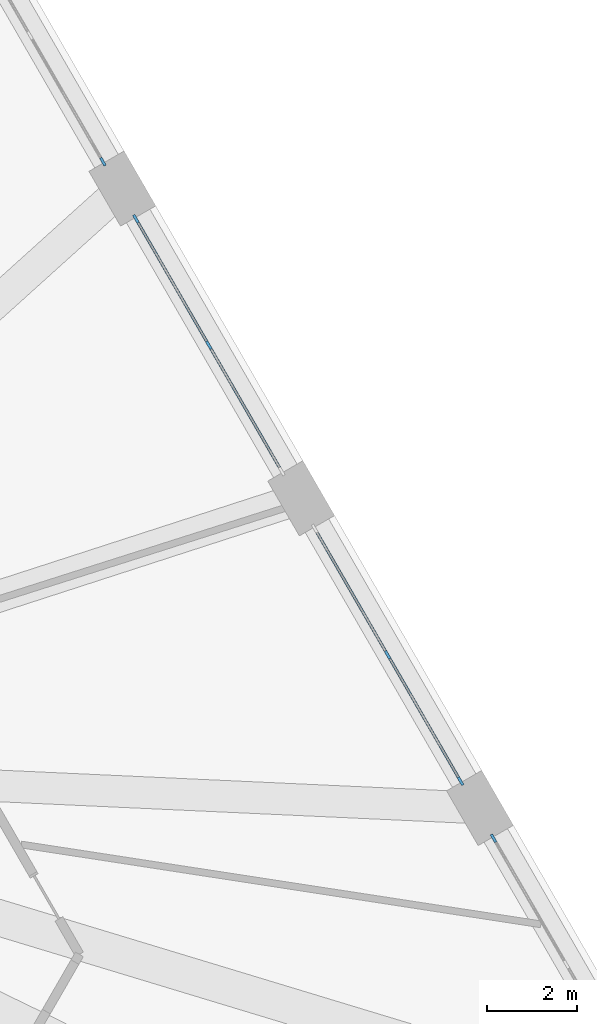
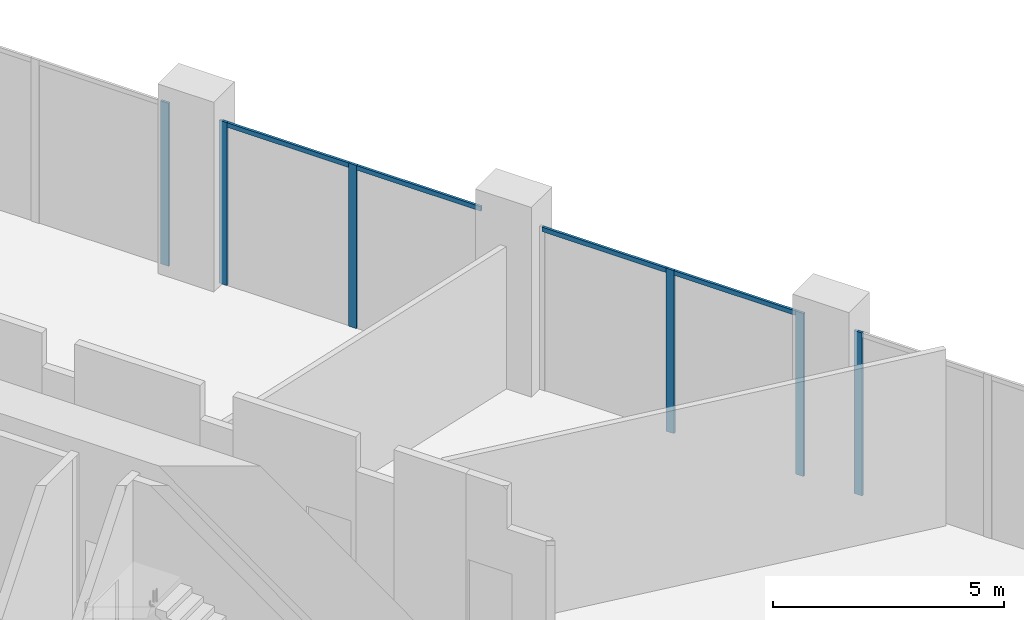
# One storey, part 10 of 20: 10 members, 4 elements without a shape of their own.
"""IFC4 building model written with IfcOpenShell, lengths in metres."""

from ifc_helpers import new_model, si_unit, direction, frame, origin, origin_2d, place, context, subcontext, project, spatial, rectangle, extrude, material, layer, layer_set, material_profile, profile_set, type_object, element, aggregate, save


model = new_model("IFC4")

# Units and contexts
model_context = context("Model", 3, precision=1e-05, world=origin(), true_north=direction((0.0, 1.0)))
body_context = subcontext(model_context, "Body", "Model", "MODEL_VIEW")
ifc_project = project(units=[si_unit("LENGTHUNIT", "METRE"), si_unit("AREAUNIT", "SQUARE_METRE"), si_unit("VOLUMEUNIT", "CUBIC_METRE"), si_unit("PLANEANGLEUNIT", "RADIAN"), si_unit("MASSUNIT", "GRAM", prefix="KILO")], contexts=[model_context])

# Site, building, storey
site_placement = place(None, origin())
site = spatial("IfcSite", under=ifc_project, at=site_placement, CompositionType="ELEMENT")
building_placement = place(site_placement, origin())
building = spatial("IfcBuilding", under=site, at=building_placement, Name="Tramontana Tower", CompositionType="ELEMENT")
storey_placement = place(building_placement, frame((0.0, 0.0, 20.0)))
storey = spatial("IfcBuildingStorey", under=building, at=storey_placement, Name="L03", CompositionType="ELEMENT", Elevation=20.0)

# Curtain wall, member
ifc_material_1 = material(Name="Aluminum extrusion", Category="aluminium")
ifc_layer = layer(ifc_material_1, 0.14990234375)
ifc_layer_set = layer_set([ifc_layer], Name="CW2 Podium amenity curtain wall")
curtain_wall_type = type_object("IfcCurtainWallType", Name="CW2 Podium amenity curtain wall", PredefinedType="NOTDEFINED", material=ifc_layer_set)
curtain_wall_1_placement = place(storey_placement, origin())
curtain_wall_1 = element("IfcCurtainWall", 1, at=curtain_wall_1_placement, inside=storey, type_object=curtain_wall_type, Name="CW2 curtain wall L03 face 2 bay 2", PredefinedType="NOTDEFINED")
ifc_material_2 = material(Name="Aluminum extrusion", Category="aluminium")
ifc_material_profile_1 = material_profile(ifc_material_2, rectangle(XDim=0.06005859375, YDim=0.199951171875, at=origin_2d()), Name="CW2-M Mullion 60 x 200")
ifc_profile_set_1 = profile_set([ifc_material_profile_1], Name="Aluminum extrusion")
member_type_1 = type_object("IfcMemberType", Name="CW2-M Mullion 60 x 200", PredefinedType="MULLION", material=ifc_profile_set_1)
member_1_placement = place(storey_placement, frame((22.30322265625, -1.680419921875, 0.0), z_axis=(0.0, 0.0, 1.0), x_axis=(-0.866025403784, -0.5, 0.0)))
member_1 = element("IfcMember", 2, at=member_1_placement, type_object=member_type_1, Name="CW2 curtain wall L03 face 2 bay 2 mullion 3", PredefinedType="MULLION", context=body_context, shape_type="SweptSolid", body=[
    extrude(rectangle(XDim=0.06005859375, YDim=0.199951171875, at=origin_2d()), origin(), (0.0, 0.0, 1.0), 4.300048828125),
])
aggregate(curtain_wall_1, [member_1])

# Curtain wall, members
curtain_wall_2_placement = place(storey_placement, origin())
curtain_wall_2 = element("IfcCurtainWall", 3, at=curtain_wall_2_placement, inside=storey, type_object=curtain_wall_type, Name="CW2 curtain wall L03 face 2 bay 3", PredefinedType="NOTDEFINED")
member_2_placement = place(storey_placement, frame((21.5732421875, -0.416015625, 0.0), z_axis=(0.0, 0.0, 1.0), x_axis=(-0.866025403784, -0.5, 0.0)))
member_2 = element("IfcMember", 4, at=member_2_placement, type_object=member_type_1, Name="CW2 curtain wall L03 face 2 bay 3 mullion 1", PredefinedType="MULLION", context=body_context, shape_type="SweptSolid", body=[
    extrude(rectangle(XDim=0.06005859375, YDim=0.199951171875, at=origin_2d()), origin(), (0.0, 0.0, 1.0), 4.300048828125),
])
member_3_placement = place(storey_placement, frame((19.958740234375, 2.38037109375, 0.0), z_axis=(0.0, 0.0, 1.0), x_axis=(-0.866025403784, -0.5, 0.0)))
member_3 = element("IfcMember", 5, at=member_3_placement, type_object=member_type_1, Name="CW2 curtain wall L03 face 2 bay 3 mullion 2", PredefinedType="MULLION", context=body_context, shape_type="SweptSolid", body=[
    extrude(rectangle(XDim=0.06005859375, YDim=0.199951171875, at=origin_2d()), origin(), (0.0, 0.0, 1.0), 4.300048828125),
])

curtain_wall_3_placement = place(storey_placement, origin())
curtain_wall_3 = element("IfcCurtainWall", 6, at=curtain_wall_3_placement, inside=storey, type_object=curtain_wall_type, Name="CW2 curtain wall L03 face 2 bay 4", PredefinedType="NOTDEFINED")
member_4_placement = place(storey_placement, frame((15.999755859375, 9.237548828125, 0.0), z_axis=(0.0, 0.0, 1.0), x_axis=(-0.866025403784, -0.5, 0.0)))
member_4 = element("IfcMember", 7, at=member_4_placement, type_object=member_type_1, Name="CW2 curtain wall L03 face 2 bay 4 mullion 2", PredefinedType="MULLION", context=body_context, shape_type="SweptSolid", body=[
    extrude(rectangle(XDim=0.06005859375, YDim=0.199951171875, at=origin_2d()), origin(), (0.0, 0.0, 1.0), 4.300048828125),
])
member_5_placement = place(storey_placement, frame((14.38525390625, 12.033935546875, 0.0), z_axis=(0.0, 0.0, 1.0), x_axis=(-0.866025403784, -0.5, 0.0)))
member_5 = element("IfcMember", 8, at=member_5_placement, type_object=member_type_1, Name="CW2 curtain wall L03 face 2 bay 4 mullion 3", PredefinedType="MULLION", context=body_context, shape_type="SweptSolid", body=[
    extrude(rectangle(XDim=0.06005859375, YDim=0.199951171875, at=origin_2d()), origin(), (0.0, 0.0, 1.0), 4.300048828125),
])

# Curtain wall, member
curtain_wall_4_placement = place(storey_placement, origin())
curtain_wall_4 = element("IfcCurtainWall", 9, at=curtain_wall_4_placement, inside=storey, type_object=curtain_wall_type, Name="CW2 curtain wall L03 face 2 bay 5", PredefinedType="NOTDEFINED")
member_6_placement = place(storey_placement, frame((13.6552734375, 13.29833984375, 0.0), z_axis=(0.0, 0.0, 1.0), x_axis=(-0.866025403784, -0.5, 0.0)))
member_6 = element("IfcMember", 10, at=member_6_placement, type_object=member_type_1, Name="CW2 curtain wall L03 face 2 bay 5 mullion 1", PredefinedType="MULLION", context=body_context, shape_type="SweptSolid", body=[
    extrude(rectangle(XDim=0.06005859375, YDim=0.199951171875, at=origin_2d()), origin(), (0.0, 0.0, 1.0), 4.300048828125),
])
aggregate(curtain_wall_4, [member_6])

# Member
ifc_material_3 = material(Name="Aluminum extrusion", Category="aluminium")
ifc_material_profile_2 = material_profile(ifc_material_3, rectangle(XDim=0.06005859375, YDim=0.1201171875, at=origin_2d()), Name="CW2-T Transom 60 x 120")
ifc_profile_set_2 = profile_set([ifc_material_profile_2], Name="Aluminum extrusion")
member_type_2 = type_object("IfcMemberType", Name="CW2-T Transom 60 x 120", PredefinedType="USERDEFINED", material=ifc_profile_set_2)
member_7_placement = place(storey_placement, frame((21.558349609375, -0.39013671875, 4.239990234375), z_axis=(-0.49996696679, 0.866044474677, 0.0), x_axis=(-0.866044474677, -0.49996696679, 0.0)))
member_7 = element("IfcMember", 11, at=member_7_placement, type_object=member_type_2, Name="CW2 curtain wall L03 face 2 bay 3 transom 1.1", ObjectType="TRANSOM", PredefinedType="USERDEFINED", context=body_context, shape_type="SweptSolid", body=[
    extrude(rectangle(XDim=0.06005859375, YDim=0.1201171875, at=origin_2d()), origin(), (0.0, 0.0, 1.0), 3.169189453125),
])

member_8_placement = place(storey_placement, frame((19.94384765625, 2.40625, 4.239990234375), z_axis=(-0.500000324964, 0.866025216166, 0.0), x_axis=(-0.866025216166, -0.500000324964, 0.0)))
member_8 = element("IfcMember", 12, at=member_8_placement, type_object=member_type_2, Name="CW2 curtain wall L03 face 2 bay 3 transom 2.1", ObjectType="TRANSOM", PredefinedType="USERDEFINED", context=body_context, shape_type="SweptSolid", body=[
    extrude(rectangle(XDim=0.06005859375, YDim=0.1201171875, at=origin_2d()), origin(), (0.0, 0.0, 1.0), 3.1689453125),
])

aggregate(curtain_wall_2, [member_2, member_3, member_7, member_8])

member_9_placement = place(storey_placement, frame((17.599365234375, 6.467041015625, 4.239990234375), z_axis=(-0.500000324964, 0.866025216166, 0.0), x_axis=(-0.866025216166, -0.500000324964, 0.0)))
member_9 = element("IfcMember", 13, at=member_9_placement, type_object=member_type_2, Name="CW2 curtain wall L03 face 2 bay 4 transom 1.1", ObjectType="TRANSOM", PredefinedType="USERDEFINED", context=body_context, shape_type="SweptSolid", body=[
    extrude(rectangle(XDim=0.06005859375, YDim=0.1201171875, at=origin_2d()), origin(), (0.0, 0.0, 1.0), 3.1689453125),
])

member_10_placement = place(storey_placement, frame((15.98486328125, 9.263427734375, 4.239990234375), z_axis=(-0.500000324964, 0.866025216166, 0.0), x_axis=(-0.866025216166, -0.500000324964, 0.0)))
member_10 = element("IfcMember", 14, at=member_10_placement, type_object=member_type_2, Name="CW2 curtain wall L03 face 2 bay 4 transom 2.1", ObjectType="TRANSOM", PredefinedType="USERDEFINED", context=body_context, shape_type="SweptSolid", body=[
    extrude(rectangle(XDim=0.06005859375, YDim=0.1201171875, at=origin_2d()), origin(), (0.0, 0.0, 1.0), 3.1689453125),
])

aggregate(curtain_wall_3, [member_4, member_5, member_9, member_10])

save(model, "model.ifc")
